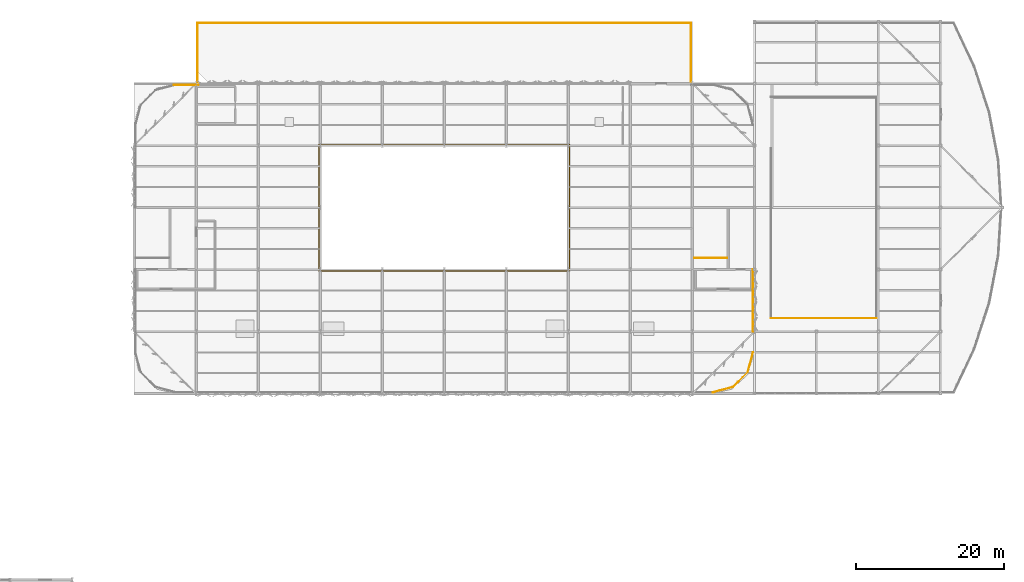
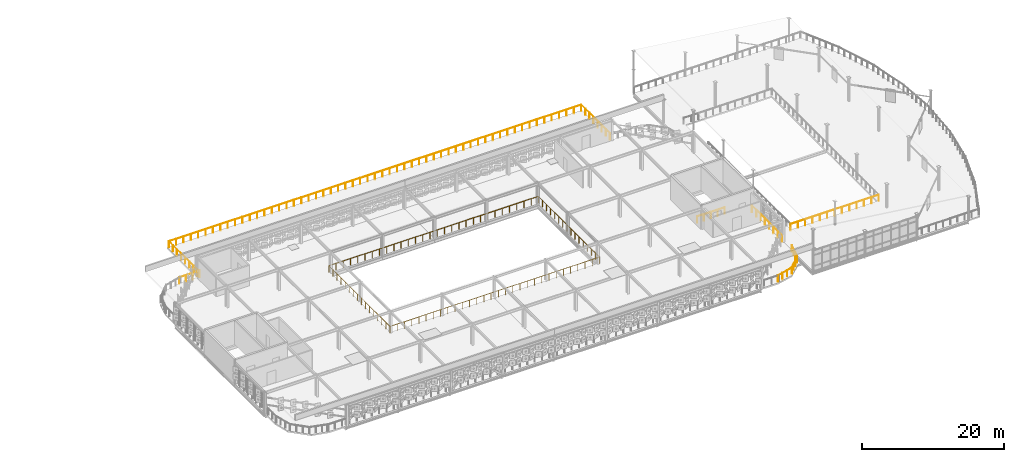
# One storey, part 64 of 65: 7 railings.
"""IFC4 building model written with IfcOpenShell, lengths in metres."""

from ifc_helpers import new_model, si_unit, direction, frame, origin, origin_2d, place, context, subcontext, project, spatial, circle, extrude, material, type_object, element, save


model = new_model("IFC4")

# Units and contexts
model_context = context("Model", 3, precision=1e-05, world=origin(), true_north=direction((0.0, 1.0)))
body_context = subcontext(model_context, "Body", "Model", "MODEL_VIEW")
ifc_project = project(units=[si_unit("LENGTHUNIT", "METRE"), si_unit("AREAUNIT", "SQUARE_METRE"), si_unit("VOLUMEUNIT", "CUBIC_METRE"), si_unit("PLANEANGLEUNIT", "RADIAN"), si_unit("MASSUNIT", "GRAM", prefix="KILO")], contexts=[model_context])

# Site, building, storey
site_placement = place(None, origin())
site = spatial("IfcSite", under=ifc_project, at=site_placement, CompositionType="ELEMENT")
building_placement = place(site_placement, origin())
building = spatial("IfcBuilding", under=site, at=building_placement, Name="Qalvenar Corner Mobility Hub", CompositionType="ELEMENT")
storey_placement = place(building_placement, frame((0.0, 0.0, 17.39990234375)))
storey = spatial("IfcBuildingStorey", under=building, at=storey_placement, Name="L04", CompositionType="ELEMENT", Elevation=17.39990234375)

# Railings
ifc_material_1 = material(Name="Art Nouveau Bronze-Finished Steel Balustrade", Category="steel")
railing_type_1 = type_object("IfcRailingType", Name="RL-GUARD-110", PredefinedType="GUARDRAIL", material=ifc_material_1)
railing_1_placement = place(storey_placement, frame((67.3798828125, 109.35009765625, 0.0)))
element("IfcRailing", 1, at=railing_1_placement, inside=storey, type_object=railing_type_1, Name="Terrace Perimeter Guardrail TER-V4-L04", PredefinedType="GUARDRAIL", context=body_context, shape_type="SweptSolid", body=[
    extrude(circle(Radius=0.02392578125, at=origin_2d()), frame((0.0, 0.0, 1.09619140625), z_axis=(0.0, 1.0, 0.0), x_axis=(-1.0, 0.0, 0.0)), (0.0, 0.0, 1.0), 8.06982421875),
    extrude(circle(Radius=0.02392578125, at=origin_2d()), frame((0.0, 8.06982421875, 1.09619140625), z_axis=(1.0, 0.0, 0.0), x_axis=(0.0, 1.0, 0.0)), (0.0, 0.0, 1.0), 66.840087890625),
    extrude(circle(Radius=0.02392578125, at=origin_2d()), frame((66.840087890625, 8.06982421875, 1.09619140625), z_axis=(0.0, -1.0, 0.0), x_axis=(1.0, 0.0, 0.0)), (0.0, 0.0, 1.0), 8.06982421875),
    extrude(circle(Radius=0.02099609375, at=origin_2d()), origin(), (0.0, 0.0, 1.0), 1.072021484375),
    extrude(circle(Radius=0.02099609375, at=origin_2d()), frame((0.0, 1.15283203125, 0.0)), (0.0, 0.0, 1.0), 1.072021484375),
    extrude(circle(Radius=0.02099609375, at=origin_2d()), frame((0.0, 2.3056640625, 0.0)), (0.0, 0.0, 1.0), 1.072021484375),
    extrude(circle(Radius=0.02099609375, at=origin_2d()), frame((0.0, 3.45849609375, 0.0)), (0.0, 0.0, 1.0), 1.072021484375),
    extrude(circle(Radius=0.02099609375, at=origin_2d()), frame((0.0, 4.611328125, 0.0)), (0.0, 0.0, 1.0), 1.072021484375),
    extrude(circle(Radius=0.02099609375, at=origin_2d()), frame((0.0, 5.76416015625, 0.0)), (0.0, 0.0, 1.0), 1.072021484375),
    extrude(circle(Radius=0.02099609375, at=origin_2d()), frame((0.0, 6.9169921875, 0.0)), (0.0, 0.0, 1.0), 1.072021484375),
    extrude(circle(Radius=0.02099609375, at=origin_2d()), frame((0.0, 8.06982421875, 0.0)), (0.0, 0.0, 1.0), 1.072021484375),
    extrude(circle(Radius=0.02099609375, at=origin_2d()), frame((1.193603515625, 8.06982421875, 0.0)), (0.0, 0.0, 1.0), 1.072021484375),
    extrude(circle(Radius=0.02099609375, at=origin_2d()), frame((2.38720703125, 8.06982421875, 0.0)), (0.0, 0.0, 1.0), 1.072021484375),
    extrude(circle(Radius=0.02099609375, at=origin_2d()), frame((3.580810546875, 8.06982421875, 0.0)), (0.0, 0.0, 1.0), 1.072021484375),
    extrude(circle(Radius=0.02099609375, at=origin_2d()), frame((4.7744140625, 8.06982421875, 0.0)), (0.0, 0.0, 1.0), 1.072021484375),
    extrude(circle(Radius=0.02099609375, at=origin_2d()), frame((5.9677734375, 8.06982421875, 0.0)), (0.0, 0.0, 1.0), 1.072021484375),
    extrude(circle(Radius=0.02099609375, at=origin_2d()), frame((7.161376953125, 8.06982421875, 0.0)), (0.0, 0.0, 1.0), 1.072021484375),
    extrude(circle(Radius=0.02099609375, at=origin_2d()), frame((8.35498046875, 8.06982421875, 0.0)), (0.0, 0.0, 1.0), 1.072021484375),
    extrude(circle(Radius=0.02099609375, at=origin_2d()), frame((9.548583984375, 8.06982421875, 0.0)), (0.0, 0.0, 1.0), 1.072021484375),
    extrude(circle(Radius=0.02099609375, at=origin_2d()), frame((10.7421875, 8.06982421875, 0.0)), (0.0, 0.0, 1.0), 1.072021484375),
    extrude(circle(Radius=0.02099609375, at=origin_2d()), frame((11.935791015625, 8.06982421875, 0.0)), (0.0, 0.0, 1.0), 1.072021484375),
    extrude(circle(Radius=0.02099609375, at=origin_2d()), frame((13.12939453125, 8.06982421875, 0.0)), (0.0, 0.0, 1.0), 1.072021484375),
    extrude(circle(Radius=0.02099609375, at=origin_2d()), frame((14.32275390625, 8.06982421875, 0.0)), (0.0, 0.0, 1.0), 1.072021484375),
    extrude(circle(Radius=0.02099609375, at=origin_2d()), frame((15.516357421875, 8.06982421875, 0.0)), (0.0, 0.0, 1.0), 1.072021484375),
    extrude(circle(Radius=0.02099609375, at=origin_2d()), frame((16.7099609375, 8.06982421875, 0.0)), (0.0, 0.0, 1.0), 1.072021484375),
    extrude(circle(Radius=0.02099609375, at=origin_2d()), frame((17.903564453125, 8.06982421875, 0.0)), (0.0, 0.0, 1.0), 1.072021484375),
    extrude(circle(Radius=0.02099609375, at=origin_2d()), frame((19.09716796875, 8.06982421875, 0.0)), (0.0, 0.0, 1.0), 1.072021484375),
    extrude(circle(Radius=0.02099609375, at=origin_2d()), frame((20.290771484375, 8.06982421875, 0.0)), (0.0, 0.0, 1.0), 1.072021484375),
    extrude(circle(Radius=0.02099609375, at=origin_2d()), frame((21.484375, 8.06982421875, 0.0)), (0.0, 0.0, 1.0), 1.072021484375),
    extrude(circle(Radius=0.02099609375, at=origin_2d()), frame((22.677978515625, 8.06982421875, 0.0)), (0.0, 0.0, 1.0), 1.072021484375),
    extrude(circle(Radius=0.02099609375, at=origin_2d()), frame((23.87158203125, 8.06982421875, 0.0)), (0.0, 0.0, 1.0), 1.072021484375),
    extrude(circle(Radius=0.02099609375, at=origin_2d()), frame((25.06494140625, 8.06982421875, 0.0)), (0.0, 0.0, 1.0), 1.072021484375),
    extrude(circle(Radius=0.02099609375, at=origin_2d()), frame((26.258544921875, 8.06982421875, 0.0)), (0.0, 0.0, 1.0), 1.072021484375),
    extrude(circle(Radius=0.02099609375, at=origin_2d()), frame((27.4521484375, 8.06982421875, 0.0)), (0.0, 0.0, 1.0), 1.072021484375),
    extrude(circle(Radius=0.02099609375, at=origin_2d()), frame((28.645751953125, 8.06982421875, 0.0)), (0.0, 0.0, 1.0), 1.072021484375),
    extrude(circle(Radius=0.02099609375, at=origin_2d()), frame((29.83935546875, 8.06982421875, 0.0)), (0.0, 0.0, 1.0), 1.072021484375),
    extrude(circle(Radius=0.02099609375, at=origin_2d()), frame((31.032958984375, 8.06982421875, 0.0)), (0.0, 0.0, 1.0), 1.072021484375),
    extrude(circle(Radius=0.02099609375, at=origin_2d()), frame((32.2265625, 8.06982421875, 0.0)), (0.0, 0.0, 1.0), 1.072021484375),
    extrude(circle(Radius=0.02099609375, at=origin_2d()), frame((33.419921875, 8.06982421875, 0.0)), (0.0, 0.0, 1.0), 1.072021484375),
    extrude(circle(Radius=0.02099609375, at=origin_2d()), frame((34.613525390625, 8.06982421875, 0.0)), (0.0, 0.0, 1.0), 1.072021484375),
    extrude(circle(Radius=0.02099609375, at=origin_2d()), frame((35.80712890625, 8.06982421875, 0.0)), (0.0, 0.0, 1.0), 1.072021484375),
    extrude(circle(Radius=0.02099609375, at=origin_2d()), frame((37.000732421875, 8.06982421875, 0.0)), (0.0, 0.0, 1.0), 1.072021484375),
    extrude(circle(Radius=0.02099609375, at=origin_2d()), frame((38.1943359375, 8.06982421875, 0.0)), (0.0, 0.0, 1.0), 1.072021484375),
    extrude(circle(Radius=0.02099609375, at=origin_2d()), frame((39.387939453125, 8.06982421875, 0.0)), (0.0, 0.0, 1.0), 1.072021484375),
    extrude(circle(Radius=0.02099609375, at=origin_2d()), frame((40.58154296875, 8.06982421875, 0.0)), (0.0, 0.0, 1.0), 1.072021484375),
    extrude(circle(Radius=0.02099609375, at=origin_2d()), frame((41.775146484375, 8.06982421875, 0.0)), (0.0, 0.0, 1.0), 1.072021484375),
    extrude(circle(Radius=0.02099609375, at=origin_2d()), frame((42.96875, 8.06982421875, 0.0)), (0.0, 0.0, 1.0), 1.072021484375),
    extrude(circle(Radius=0.02099609375, at=origin_2d()), frame((44.162109375, 8.06982421875, 0.0)), (0.0, 0.0, 1.0), 1.072021484375),
    extrude(circle(Radius=0.02099609375, at=origin_2d()), frame((45.355712890625, 8.06982421875, 0.0)), (0.0, 0.0, 1.0), 1.072021484375),
    extrude(circle(Radius=0.02099609375, at=origin_2d()), frame((46.54931640625, 8.06982421875, 0.0)), (0.0, 0.0, 1.0), 1.072021484375),
    extrude(circle(Radius=0.02099609375, at=origin_2d()), frame((47.742919921875, 8.06982421875, 0.0)), (0.0, 0.0, 1.0), 1.072021484375),
    extrude(circle(Radius=0.02099609375, at=origin_2d()), frame((48.9365234375, 8.06982421875, 0.0)), (0.0, 0.0, 1.0), 1.072021484375),
    extrude(circle(Radius=0.02099609375, at=origin_2d()), frame((50.130126953125, 8.06982421875, 0.0)), (0.0, 0.0, 1.0), 1.072021484375),
    extrude(circle(Radius=0.02099609375, at=origin_2d()), frame((51.32373046875, 8.06982421875, 0.0)), (0.0, 0.0, 1.0), 1.072021484375),
    extrude(circle(Radius=0.02099609375, at=origin_2d()), frame((52.51708984375, 8.06982421875, 0.0)), (0.0, 0.0, 1.0), 1.072021484375),
    extrude(circle(Radius=0.02099609375, at=origin_2d()), frame((53.710693359375, 8.06982421875, 0.0)), (0.0, 0.0, 1.0), 1.072021484375),
    extrude(circle(Radius=0.02099609375, at=origin_2d()), frame((54.904296875, 8.06982421875, 0.0)), (0.0, 0.0, 1.0), 1.072021484375),
    extrude(circle(Radius=0.02099609375, at=origin_2d()), frame((56.097900390625, 8.06982421875, 0.0)), (0.0, 0.0, 1.0), 1.072021484375),
    extrude(circle(Radius=0.02099609375, at=origin_2d()), frame((57.29150390625, 8.06982421875, 0.0)), (0.0, 0.0, 1.0), 1.072021484375),
    extrude(circle(Radius=0.02099609375, at=origin_2d()), frame((58.485107421875, 8.06982421875, 0.0)), (0.0, 0.0, 1.0), 1.072021484375),
    extrude(circle(Radius=0.02099609375, at=origin_2d()), frame((59.6787109375, 8.06982421875, 0.0)), (0.0, 0.0, 1.0), 1.072021484375),
    extrude(circle(Radius=0.02099609375, at=origin_2d()), frame((60.872314453125, 8.06982421875, 0.0)), (0.0, 0.0, 1.0), 1.072021484375),
    extrude(circle(Radius=0.02099609375, at=origin_2d()), frame((62.06591796875, 8.06982421875, 0.0)), (0.0, 0.0, 1.0), 1.072021484375),
    extrude(circle(Radius=0.02099609375, at=origin_2d()), frame((63.25927734375, 8.06982421875, 0.0)), (0.0, 0.0, 1.0), 1.072021484375),
    extrude(circle(Radius=0.02099609375, at=origin_2d()), frame((64.452880859375, 8.06982421875, 0.0)), (0.0, 0.0, 1.0), 1.072021484375),
    extrude(circle(Radius=0.02099609375, at=origin_2d()), frame((65.646484375, 8.06982421875, 0.0)), (0.0, 0.0, 1.0), 1.072021484375),
    extrude(circle(Radius=0.02099609375, at=origin_2d()), frame((66.840087890625, 8.06982421875, 0.0)), (0.0, 0.0, 1.0), 1.072021484375),
    extrude(circle(Radius=0.02099609375, at=origin_2d()), frame((66.840087890625, 6.9169921875, 0.0)), (0.0, 0.0, 1.0), 1.072021484375),
    extrude(circle(Radius=0.02099609375, at=origin_2d()), frame((66.840087890625, 5.76416015625, 0.0)), (0.0, 0.0, 1.0), 1.072021484375),
    extrude(circle(Radius=0.02099609375, at=origin_2d()), frame((66.840087890625, 4.611328125, 0.0)), (0.0, 0.0, 1.0), 1.072021484375),
    extrude(circle(Radius=0.02099609375, at=origin_2d()), frame((66.840087890625, 3.45849609375, 0.0)), (0.0, 0.0, 1.0), 1.072021484375),
    extrude(circle(Radius=0.02099609375, at=origin_2d()), frame((66.840087890625, 2.3056640625, 0.0)), (0.0, 0.0, 1.0), 1.072021484375),
    extrude(circle(Radius=0.02099609375, at=origin_2d()), frame((66.840087890625, 1.15283203125, 0.0)), (0.0, 0.0, 1.0), 1.072021484375),
    extrude(circle(Radius=0.02099609375, at=origin_2d()), frame((66.840087890625, 0.0, 0.0)), (0.0, 0.0, 1.0), 1.072021484375),
])
railing_2_placement = place(storey_placement, frame((134.64990234375, 85.60009765625, 0.0)))
element("IfcRailing", 2, at=railing_2_placement, inside=storey, type_object=railing_type_1, Name="Top Stair Landing Guard C4-L04", PredefinedType="GUARDRAIL", context=body_context, shape_type="SweptSolid", body=[
    extrude(circle(Radius=0.02392578125, at=origin_2d()), frame((0.0, 0.0, 1.09619140625), z_axis=(1.0, 0.0, 0.0), x_axis=(0.0, 1.0, 0.0)), (0.0, 0.0, 1.0), 4.4501953125),
    extrude(circle(Radius=0.02099609375, at=origin_2d()), origin(), (0.0, 0.0, 1.0), 1.072021484375),
    extrude(circle(Radius=0.02099609375, at=origin_2d()), frame((1.112548828125, 0.0, 0.0)), (0.0, 0.0, 1.0), 1.072021484375),
    extrude(circle(Radius=0.02099609375, at=origin_2d()), frame((2.22509765625, 0.0, 0.0)), (0.0, 0.0, 1.0), 1.072021484375),
    extrude(circle(Radius=0.02099609375, at=origin_2d()), frame((3.337646484375, 0.0, 0.0)), (0.0, 0.0, 1.0), 1.072021484375),
    extrude(circle(Radius=0.02099609375, at=origin_2d()), frame((4.4501953125, 0.0, 0.0)), (0.0, 0.0, 1.0), 1.072021484375),
])
ifc_material_2 = material(Name="Galvanised Steel Deck Edge Barrier", Category="steel")
railing_type_2 = type_object("IfcRailingType", Name="RL-GUARD-115", PredefinedType="GUARDRAIL", material=ifc_material_2)
railing_3_placement = place(storey_placement, frame((64.199951171875, 109.02001953125, 0.0)))
element("IfcRailing", 3, at=railing_3_placement, inside=storey, type_object=railing_type_2, Name="Parking Deck North Barrier L04", PredefinedType="GUARDRAIL", context=body_context, shape_type="SweptSolid", body=[
    extrude(circle(Radius=0.02392578125, at=origin_2d()), frame((0.0, 0.0, 1.1259765625), z_axis=(1.0, 0.0, 0.0), x_axis=(0.0, 1.0, 0.0)), (0.0, 0.0, 1.0), 3.300048828125),
    extrude(circle(Radius=0.02099609375, at=origin_2d()), origin(), (0.0, 0.0, 1.0), 1.101806640625),
    extrude(circle(Radius=0.02099609375, at=origin_2d()), frame((1.10009765625, 0.0, 0.0)), (0.0, 0.0, 1.0), 1.101806640625),
    extrude(circle(Radius=0.02099609375, at=origin_2d()), frame((2.199951171875, 0.0, 0.0)), (0.0, 0.0, 1.0), 1.101806640625),
    extrude(circle(Radius=0.02099609375, at=origin_2d()), frame((3.300048828125, 0.0, 0.0)), (0.0, 0.0, 1.0), 1.101806640625),
])
railing_4_placement = place(storey_placement, frame((142.6201171875, 75.60009765625, 0.0)))
element("IfcRailing", 4, at=railing_4_placement, inside=storey, type_object=railing_type_2, Name="Parking Deck Edge Barrier L04-ES-1", PredefinedType="GUARDRAIL", context=body_context, shape_type="SweptSolid", body=[
    extrude(circle(Radius=0.02392578125, at=origin_2d()), frame((0.0, 0.0, 1.1259765625), z_axis=(0.0, 1.0, 0.0), x_axis=(-1.0, 0.0, 0.0)), (0.0, 0.0, 1.0), 8.39990234375),
    extrude(circle(Radius=0.02099609375, at=origin_2d()), origin(), (0.0, 0.0, 1.0), 1.101806640625),
    extrude(circle(Radius=0.02099609375, at=origin_2d()), frame((0.0, 1.199951171875, 0.0)), (0.0, 0.0, 1.0), 1.101806640625),
    extrude(circle(Radius=0.02099609375, at=origin_2d()), frame((0.0, 2.39990234375, 0.0)), (0.0, 0.0, 1.0), 1.101806640625),
    extrude(circle(Radius=0.02099609375, at=origin_2d()), frame((0.0, 3.599853515625, 0.0)), (0.0, 0.0, 1.0), 1.101806640625),
    extrude(circle(Radius=0.02099609375, at=origin_2d()), frame((0.0, 4.800048828125, 0.0)), (0.0, 0.0, 1.0), 1.101806640625),
    extrude(circle(Radius=0.02099609375, at=origin_2d()), frame((0.0, 6.0, 0.0)), (0.0, 0.0, 1.0), 1.101806640625),
    extrude(circle(Radius=0.02099609375, at=origin_2d()), frame((0.0, 7.199951171875, 0.0)), (0.0, 0.0, 1.0), 1.101806640625),
    extrude(circle(Radius=0.02099609375, at=origin_2d()), frame((0.0, 8.39990234375, 0.0)), (0.0, 0.0, 1.0), 1.101806640625),
])
railing_5_placement = place(storey_placement, frame((137.199951171875, 67.3798828125, 0.0)))
element("IfcRailing", 5, at=railing_5_placement, inside=storey, type_object=railing_type_2, Name="Rounded Corner Barrier L04-SE", PredefinedType="GUARDRAIL", context=body_context, shape_type="SweptSolid", body=[
    extrude(circle(Radius=0.02392578125, at=origin_2d()), frame((0.0, 0.0, 1.1259765625), z_axis=(0.965909204481, 0.25888107057, 0.0), x_axis=(-0.25888107057, 0.965909204481, 0.0)), (0.0, 0.0, 1.0), 2.8056640625),
    extrude(circle(Radius=0.02392578125, at=origin_2d()), frame((2.7099609375, 0.726318359375, 1.1259765625), z_axis=(0.707106781187, 0.707106781187, 0.0), x_axis=(-0.707106781187, 0.707106781187, 0.0)), (0.0, 0.0, 1.0), 2.8056640625),
    extrude(circle(Radius=0.02392578125, at=origin_2d()), frame((4.69384765625, 2.710205078125, 1.1259765625), z_axis=(0.25888107057, 0.965909204481, 0.0), x_axis=(-0.965909204481, 0.25888107057, 0.0)), (0.0, 0.0, 1.0), 2.8056640625),
    extrude(circle(Radius=0.02099609375, at=origin_2d()), origin(), (0.0, 0.0, 1.0), 1.101806640625),
    extrude(circle(Radius=0.02099609375, at=origin_2d()), frame((0.9033203125, 0.2421875, 0.0)), (0.0, 0.0, 1.0), 1.101806640625),
    extrude(circle(Radius=0.02099609375, at=origin_2d()), frame((1.806640625, 0.484130859375, 0.0)), (0.0, 0.0, 1.0), 1.101806640625),
    extrude(circle(Radius=0.02099609375, at=origin_2d()), frame((2.7099609375, 0.726318359375, 0.0)), (0.0, 0.0, 1.0), 1.101806640625),
    extrude(circle(Radius=0.02099609375, at=origin_2d()), frame((3.371337890625, 1.3876953125, 0.0)), (0.0, 0.0, 1.0), 1.101806640625),
    extrude(circle(Radius=0.02099609375, at=origin_2d()), frame((4.032470703125, 2.048828125, 0.0)), (0.0, 0.0, 1.0), 1.101806640625),
    extrude(circle(Radius=0.02099609375, at=origin_2d()), frame((4.69384765625, 2.710205078125, 0.0)), (0.0, 0.0, 1.0), 1.101806640625),
    extrude(circle(Radius=0.02099609375, at=origin_2d()), frame((4.93603515625, 3.613525390625, 0.0)), (0.0, 0.0, 1.0), 1.101806640625),
    extrude(circle(Radius=0.02099609375, at=origin_2d()), frame((5.177978515625, 4.516845703125, 0.0)), (0.0, 0.0, 1.0), 1.101806640625),
    extrude(circle(Radius=0.02099609375, at=origin_2d()), frame((5.420166015625, 5.420166015625, 0.0)), (0.0, 0.0, 1.0), 1.101806640625),
])
railing_6_placement = place(storey_placement, frame((83.820068359375, 83.820068359375, 0.0)))
element("IfcRailing", 6, at=railing_6_placement, inside=storey, type_object=railing_type_2, Name="Lightwell Perimeter Guardrail L04", PredefinedType="GUARDRAIL", context=body_context, shape_type="SweptSolid", body=[
    extrude(circle(Radius=0.02392578125, at=origin_2d()), frame((0.0, 0.0, 1.1259765625), z_axis=(1.0, 0.0, 0.0), x_axis=(0.0, 1.0, 0.0)), (0.0, 0.0, 1.0), 33.9599609375),
    extrude(circle(Radius=0.02392578125, at=origin_2d()), frame((33.9599609375, 0.0, 1.1259765625), z_axis=(0.0, 1.0, 0.0), x_axis=(-1.0, 0.0, 0.0)), (0.0, 0.0, 1.0), 17.159912109375),
    extrude(circle(Radius=0.02392578125, at=origin_2d()), frame((33.9599609375, 17.159912109375, 1.1259765625), z_axis=(-1.0, 0.0, 0.0), x_axis=(0.0, -1.0, 0.0)), (0.0, 0.0, 1.0), 33.9599609375),
    extrude(circle(Radius=0.02392578125, at=origin_2d()), frame((0.0, 17.159912109375, 1.1259765625), z_axis=(0.0, -1.0, 0.0), x_axis=(1.0, 0.0, 0.0)), (0.0, 0.0, 1.0), 17.159912109375),
    extrude(circle(Radius=0.02099609375, at=origin_2d()), origin(), (0.0, 0.0, 1.0), 1.101806640625),
    extrude(circle(Radius=0.02099609375, at=origin_2d()), frame((1.171142578125, 0.0, 0.0)), (0.0, 0.0, 1.0), 1.101806640625),
    extrude(circle(Radius=0.02099609375, at=origin_2d()), frame((2.342041015625, 0.0, 0.0)), (0.0, 0.0, 1.0), 1.101806640625),
    extrude(circle(Radius=0.02099609375, at=origin_2d()), frame((3.51318359375, 0.0, 0.0)), (0.0, 0.0, 1.0), 1.101806640625),
    extrude(circle(Radius=0.02099609375, at=origin_2d()), frame((4.68408203125, 0.0, 0.0)), (0.0, 0.0, 1.0), 1.101806640625),
    extrude(circle(Radius=0.02099609375, at=origin_2d()), frame((5.855224609375, 0.0, 0.0)), (0.0, 0.0, 1.0), 1.101806640625),
    extrude(circle(Radius=0.02099609375, at=origin_2d()), frame((7.026123046875, 0.0, 0.0)), (0.0, 0.0, 1.0), 1.101806640625),
    extrude(circle(Radius=0.02099609375, at=origin_2d()), frame((8.197265625, 0.0, 0.0)), (0.0, 0.0, 1.0), 1.101806640625),
    extrude(circle(Radius=0.02099609375, at=origin_2d()), frame((9.3681640625, 0.0, 0.0)), (0.0, 0.0, 1.0), 1.101806640625),
    extrude(circle(Radius=0.02099609375, at=origin_2d()), frame((10.539306640625, 0.0, 0.0)), (0.0, 0.0, 1.0), 1.101806640625),
    extrude(circle(Radius=0.02099609375, at=origin_2d()), frame((11.71044921875, 0.0, 0.0)), (0.0, 0.0, 1.0), 1.101806640625),
    extrude(circle(Radius=0.02099609375, at=origin_2d()), frame((12.88134765625, 0.0, 0.0)), (0.0, 0.0, 1.0), 1.101806640625),
    extrude(circle(Radius=0.02099609375, at=origin_2d()), frame((14.052490234375, 0.0, 0.0)), (0.0, 0.0, 1.0), 1.101806640625),
    extrude(circle(Radius=0.02099609375, at=origin_2d()), frame((15.223388671875, 0.0, 0.0)), (0.0, 0.0, 1.0), 1.101806640625),
    extrude(circle(Radius=0.02099609375, at=origin_2d()), frame((16.39453125, 0.0, 0.0)), (0.0, 0.0, 1.0), 1.101806640625),
    extrude(circle(Radius=0.02099609375, at=origin_2d()), frame((17.5654296875, 0.0, 0.0)), (0.0, 0.0, 1.0), 1.101806640625),
    extrude(circle(Radius=0.02099609375, at=origin_2d()), frame((18.736572265625, 0.0, 0.0)), (0.0, 0.0, 1.0), 1.101806640625),
    extrude(circle(Radius=0.02099609375, at=origin_2d()), frame((19.907470703125, 0.0, 0.0)), (0.0, 0.0, 1.0), 1.101806640625),
    extrude(circle(Radius=0.02099609375, at=origin_2d()), frame((21.07861328125, 0.0, 0.0)), (0.0, 0.0, 1.0), 1.101806640625),
    extrude(circle(Radius=0.02099609375, at=origin_2d()), frame((22.24951171875, 0.0, 0.0)), (0.0, 0.0, 1.0), 1.101806640625),
    extrude(circle(Radius=0.02099609375, at=origin_2d()), frame((23.420654296875, 0.0, 0.0)), (0.0, 0.0, 1.0), 1.101806640625),
    extrude(circle(Radius=0.02099609375, at=origin_2d()), frame((24.591796875, 0.0, 0.0)), (0.0, 0.0, 1.0), 1.101806640625),
    extrude(circle(Radius=0.02099609375, at=origin_2d()), frame((25.7626953125, 0.0, 0.0)), (0.0, 0.0, 1.0), 1.101806640625),
    extrude(circle(Radius=0.02099609375, at=origin_2d()), frame((26.933837890625, 0.0, 0.0)), (0.0, 0.0, 1.0), 1.101806640625),
    extrude(circle(Radius=0.02099609375, at=origin_2d()), frame((28.104736328125, 0.0, 0.0)), (0.0, 0.0, 1.0), 1.101806640625),
    extrude(circle(Radius=0.02099609375, at=origin_2d()), frame((29.27587890625, 0.0, 0.0)), (0.0, 0.0, 1.0), 1.101806640625),
    extrude(circle(Radius=0.02099609375, at=origin_2d()), frame((30.44677734375, 0.0, 0.0)), (0.0, 0.0, 1.0), 1.101806640625),
    extrude(circle(Radius=0.02099609375, at=origin_2d()), frame((31.617919921875, 0.0, 0.0)), (0.0, 0.0, 1.0), 1.101806640625),
    extrude(circle(Radius=0.02099609375, at=origin_2d()), frame((32.788818359375, 0.0, 0.0)), (0.0, 0.0, 1.0), 1.101806640625),
    extrude(circle(Radius=0.02099609375, at=origin_2d()), frame((33.9599609375, 0.0, 0.0)), (0.0, 0.0, 1.0), 1.101806640625),
    extrude(circle(Radius=0.02099609375, at=origin_2d()), frame((33.9599609375, 1.14404296875, 0.0)), (0.0, 0.0, 1.0), 1.101806640625),
    extrude(circle(Radius=0.02099609375, at=origin_2d()), frame((33.9599609375, 2.2880859375, 0.0)), (0.0, 0.0, 1.0), 1.101806640625),
    extrude(circle(Radius=0.02099609375, at=origin_2d()), frame((33.9599609375, 3.431884765625, 0.0)), (0.0, 0.0, 1.0), 1.101806640625),
    extrude(circle(Radius=0.02099609375, at=origin_2d()), frame((33.9599609375, 4.575927734375, 0.0)), (0.0, 0.0, 1.0), 1.101806640625),
    extrude(circle(Radius=0.02099609375, at=origin_2d()), frame((33.9599609375, 5.719970703125, 0.0)), (0.0, 0.0, 1.0), 1.101806640625),
    extrude(circle(Radius=0.02099609375, at=origin_2d()), frame((33.9599609375, 6.864013671875, 0.0)), (0.0, 0.0, 1.0), 1.101806640625),
    extrude(circle(Radius=0.02099609375, at=origin_2d()), frame((33.9599609375, 8.008056640625, 0.0)), (0.0, 0.0, 1.0), 1.101806640625),
    extrude(circle(Radius=0.02099609375, at=origin_2d()), frame((33.9599609375, 9.15185546875, 0.0)), (0.0, 0.0, 1.0), 1.101806640625),
    extrude(circle(Radius=0.02099609375, at=origin_2d()), frame((33.9599609375, 10.2958984375, 0.0)), (0.0, 0.0, 1.0), 1.101806640625),
    extrude(circle(Radius=0.02099609375, at=origin_2d()), frame((33.9599609375, 11.43994140625, 0.0)), (0.0, 0.0, 1.0), 1.101806640625),
    extrude(circle(Radius=0.02099609375, at=origin_2d()), frame((33.9599609375, 12.583984375, 0.0)), (0.0, 0.0, 1.0), 1.101806640625),
    extrude(circle(Radius=0.02099609375, at=origin_2d()), frame((33.9599609375, 13.72802734375, 0.0)), (0.0, 0.0, 1.0), 1.101806640625),
    extrude(circle(Radius=0.02099609375, at=origin_2d()), frame((33.9599609375, 14.871826171875, 0.0)), (0.0, 0.0, 1.0), 1.101806640625),
    extrude(circle(Radius=0.02099609375, at=origin_2d()), frame((33.9599609375, 16.015869140625, 0.0)), (0.0, 0.0, 1.0), 1.101806640625),
    extrude(circle(Radius=0.02099609375, at=origin_2d()), frame((33.9599609375, 17.159912109375, 0.0)), (0.0, 0.0, 1.0), 1.101806640625),
    extrude(circle(Radius=0.02099609375, at=origin_2d()), frame((32.788818359375, 17.159912109375, 0.0)), (0.0, 0.0, 1.0), 1.101806640625),
    extrude(circle(Radius=0.02099609375, at=origin_2d()), frame((31.617919921875, 17.159912109375, 0.0)), (0.0, 0.0, 1.0), 1.101806640625),
    extrude(circle(Radius=0.02099609375, at=origin_2d()), frame((30.44677734375, 17.159912109375, 0.0)), (0.0, 0.0, 1.0), 1.101806640625),
    extrude(circle(Radius=0.02099609375, at=origin_2d()), frame((29.27587890625, 17.159912109375, 0.0)), (0.0, 0.0, 1.0), 1.101806640625),
    extrude(circle(Radius=0.02099609375, at=origin_2d()), frame((28.104736328125, 17.159912109375, 0.0)), (0.0, 0.0, 1.0), 1.101806640625),
    extrude(circle(Radius=0.02099609375, at=origin_2d()), frame((26.933837890625, 17.159912109375, 0.0)), (0.0, 0.0, 1.0), 1.101806640625),
    extrude(circle(Radius=0.02099609375, at=origin_2d()), frame((25.7626953125, 17.159912109375, 0.0)), (0.0, 0.0, 1.0), 1.101806640625),
    extrude(circle(Radius=0.02099609375, at=origin_2d()), frame((24.591796875, 17.159912109375, 0.0)), (0.0, 0.0, 1.0), 1.101806640625),
    extrude(circle(Radius=0.02099609375, at=origin_2d()), frame((23.420654296875, 17.159912109375, 0.0)), (0.0, 0.0, 1.0), 1.101806640625),
    extrude(circle(Radius=0.02099609375, at=origin_2d()), frame((22.24951171875, 17.159912109375, 0.0)), (0.0, 0.0, 1.0), 1.101806640625),
    extrude(circle(Radius=0.02099609375, at=origin_2d()), frame((21.07861328125, 17.159912109375, 0.0)), (0.0, 0.0, 1.0), 1.101806640625),
    extrude(circle(Radius=0.02099609375, at=origin_2d()), frame((19.907470703125, 17.159912109375, 0.0)), (0.0, 0.0, 1.0), 1.101806640625),
    extrude(circle(Radius=0.02099609375, at=origin_2d()), frame((18.736572265625, 17.159912109375, 0.0)), (0.0, 0.0, 1.0), 1.101806640625),
    extrude(circle(Radius=0.02099609375, at=origin_2d()), frame((17.5654296875, 17.159912109375, 0.0)), (0.0, 0.0, 1.0), 1.101806640625),
    extrude(circle(Radius=0.02099609375, at=origin_2d()), frame((16.39453125, 17.159912109375, 0.0)), (0.0, 0.0, 1.0), 1.101806640625),
    extrude(circle(Radius=0.02099609375, at=origin_2d()), frame((15.223388671875, 17.159912109375, 0.0)), (0.0, 0.0, 1.0), 1.101806640625),
    extrude(circle(Radius=0.02099609375, at=origin_2d()), frame((14.052490234375, 17.159912109375, 0.0)), (0.0, 0.0, 1.0), 1.101806640625),
    extrude(circle(Radius=0.02099609375, at=origin_2d()), frame((12.88134765625, 17.159912109375, 0.0)), (0.0, 0.0, 1.0), 1.101806640625),
    extrude(circle(Radius=0.02099609375, at=origin_2d()), frame((11.71044921875, 17.159912109375, 0.0)), (0.0, 0.0, 1.0), 1.101806640625),
    extrude(circle(Radius=0.02099609375, at=origin_2d()), frame((10.539306640625, 17.159912109375, 0.0)), (0.0, 0.0, 1.0), 1.101806640625),
    extrude(circle(Radius=0.02099609375, at=origin_2d()), frame((9.3681640625, 17.159912109375, 0.0)), (0.0, 0.0, 1.0), 1.101806640625),
    extrude(circle(Radius=0.02099609375, at=origin_2d()), frame((8.197265625, 17.159912109375, 0.0)), (0.0, 0.0, 1.0), 1.101806640625),
    extrude(circle(Radius=0.02099609375, at=origin_2d()), frame((7.026123046875, 17.159912109375, 0.0)), (0.0, 0.0, 1.0), 1.101806640625),
    extrude(circle(Radius=0.02099609375, at=origin_2d()), frame((5.855224609375, 17.159912109375, 0.0)), (0.0, 0.0, 1.0), 1.101806640625),
    extrude(circle(Radius=0.02099609375, at=origin_2d()), frame((4.68408203125, 17.159912109375, 0.0)), (0.0, 0.0, 1.0), 1.101806640625),
    extrude(circle(Radius=0.02099609375, at=origin_2d()), frame((3.51318359375, 17.159912109375, 0.0)), (0.0, 0.0, 1.0), 1.101806640625),
    extrude(circle(Radius=0.02099609375, at=origin_2d()), frame((2.342041015625, 17.159912109375, 0.0)), (0.0, 0.0, 1.0), 1.101806640625),
    extrude(circle(Radius=0.02099609375, at=origin_2d()), frame((1.171142578125, 17.159912109375, 0.0)), (0.0, 0.0, 1.0), 1.101806640625),
    extrude(circle(Radius=0.02099609375, at=origin_2d()), frame((0.0, 17.159912109375, 0.0)), (0.0, 0.0, 1.0), 1.101806640625),
    extrude(circle(Radius=0.02099609375, at=origin_2d()), frame((0.0, 16.015869140625, 0.0)), (0.0, 0.0, 1.0), 1.101806640625),
    extrude(circle(Radius=0.02099609375, at=origin_2d()), frame((0.0, 14.871826171875, 0.0)), (0.0, 0.0, 1.0), 1.101806640625),
    extrude(circle(Radius=0.02099609375, at=origin_2d()), frame((0.0, 13.72802734375, 0.0)), (0.0, 0.0, 1.0), 1.101806640625),
    extrude(circle(Radius=0.02099609375, at=origin_2d()), frame((0.0, 12.583984375, 0.0)), (0.0, 0.0, 1.0), 1.101806640625),
    extrude(circle(Radius=0.02099609375, at=origin_2d()), frame((0.0, 11.43994140625, 0.0)), (0.0, 0.0, 1.0), 1.101806640625),
    extrude(circle(Radius=0.02099609375, at=origin_2d()), frame((0.0, 10.2958984375, 0.0)), (0.0, 0.0, 1.0), 1.101806640625),
    extrude(circle(Radius=0.02099609375, at=origin_2d()), frame((0.0, 9.15185546875, 0.0)), (0.0, 0.0, 1.0), 1.101806640625),
    extrude(circle(Radius=0.02099609375, at=origin_2d()), frame((0.0, 8.008056640625, 0.0)), (0.0, 0.0, 1.0), 1.101806640625),
    extrude(circle(Radius=0.02099609375, at=origin_2d()), frame((0.0, 6.864013671875, 0.0)), (0.0, 0.0, 1.0), 1.101806640625),
    extrude(circle(Radius=0.02099609375, at=origin_2d()), frame((0.0, 5.719970703125, 0.0)), (0.0, 0.0, 1.0), 1.101806640625),
    extrude(circle(Radius=0.02099609375, at=origin_2d()), frame((0.0, 4.575927734375, 0.0)), (0.0, 0.0, 1.0), 1.101806640625),
    extrude(circle(Radius=0.02099609375, at=origin_2d()), frame((0.0, 3.431884765625, 0.0)), (0.0, 0.0, 1.0), 1.101806640625),
    extrude(circle(Radius=0.02099609375, at=origin_2d()), frame((0.0, 2.2880859375, 0.0)), (0.0, 0.0, 1.0), 1.101806640625),
    extrude(circle(Radius=0.02099609375, at=origin_2d()), frame((0.0, 1.14404296875, 0.0)), (0.0, 0.0, 1.0), 1.101806640625),
])
railing_7_placement = place(storey_placement, frame((145.050048828125, 77.419921875, 0.0)))
element("IfcRailing", 7, at=railing_7_placement, inside=storey, type_object=railing_type_2, Name="Ramp Well Guardrail South L04", PredefinedType="GUARDRAIL", context=body_context, shape_type="SweptSolid", body=[
    extrude(circle(Radius=0.02392578125, at=origin_2d()), frame((0.0, 0.0, 1.1259765625), z_axis=(1.0, 0.0, 0.0), x_axis=(0.0, 1.0, 0.0)), (0.0, 0.0, 1.0), 14.300048828125),
    extrude(circle(Radius=0.02099609375, at=origin_2d()), origin(), (0.0, 0.0, 1.0), 1.101806640625),
    extrude(circle(Radius=0.02099609375, at=origin_2d()), frame((1.191650390625, 0.0, 0.0)), (0.0, 0.0, 1.0), 1.101806640625),
    extrude(circle(Radius=0.02099609375, at=origin_2d()), frame((2.38330078125, 0.0, 0.0)), (0.0, 0.0, 1.0), 1.101806640625),
    extrude(circle(Radius=0.02099609375, at=origin_2d()), frame((3.574951171875, 0.0, 0.0)), (0.0, 0.0, 1.0), 1.101806640625),
    extrude(circle(Radius=0.02099609375, at=origin_2d()), frame((4.7666015625, 0.0, 0.0)), (0.0, 0.0, 1.0), 1.101806640625),
    extrude(circle(Radius=0.02099609375, at=origin_2d()), frame((5.958251953125, 0.0, 0.0)), (0.0, 0.0, 1.0), 1.101806640625),
    extrude(circle(Radius=0.02099609375, at=origin_2d()), frame((7.14990234375, 0.0, 0.0)), (0.0, 0.0, 1.0), 1.101806640625),
    extrude(circle(Radius=0.02099609375, at=origin_2d()), frame((8.341796875, 0.0, 0.0)), (0.0, 0.0, 1.0), 1.101806640625),
    extrude(circle(Radius=0.02099609375, at=origin_2d()), frame((9.533447265625, 0.0, 0.0)), (0.0, 0.0, 1.0), 1.101806640625),
    extrude(circle(Radius=0.02099609375, at=origin_2d()), frame((10.72509765625, 0.0, 0.0)), (0.0, 0.0, 1.0), 1.101806640625),
    extrude(circle(Radius=0.02099609375, at=origin_2d()), frame((11.916748046875, 0.0, 0.0)), (0.0, 0.0, 1.0), 1.101806640625),
    extrude(circle(Radius=0.02099609375, at=origin_2d()), frame((13.1083984375, 0.0, 0.0)), (0.0, 0.0, 1.0), 1.101806640625),
    extrude(circle(Radius=0.02099609375, at=origin_2d()), frame((14.300048828125, 0.0, 0.0)), (0.0, 0.0, 1.0), 1.101806640625),
])

save(model, "model.ifc")
